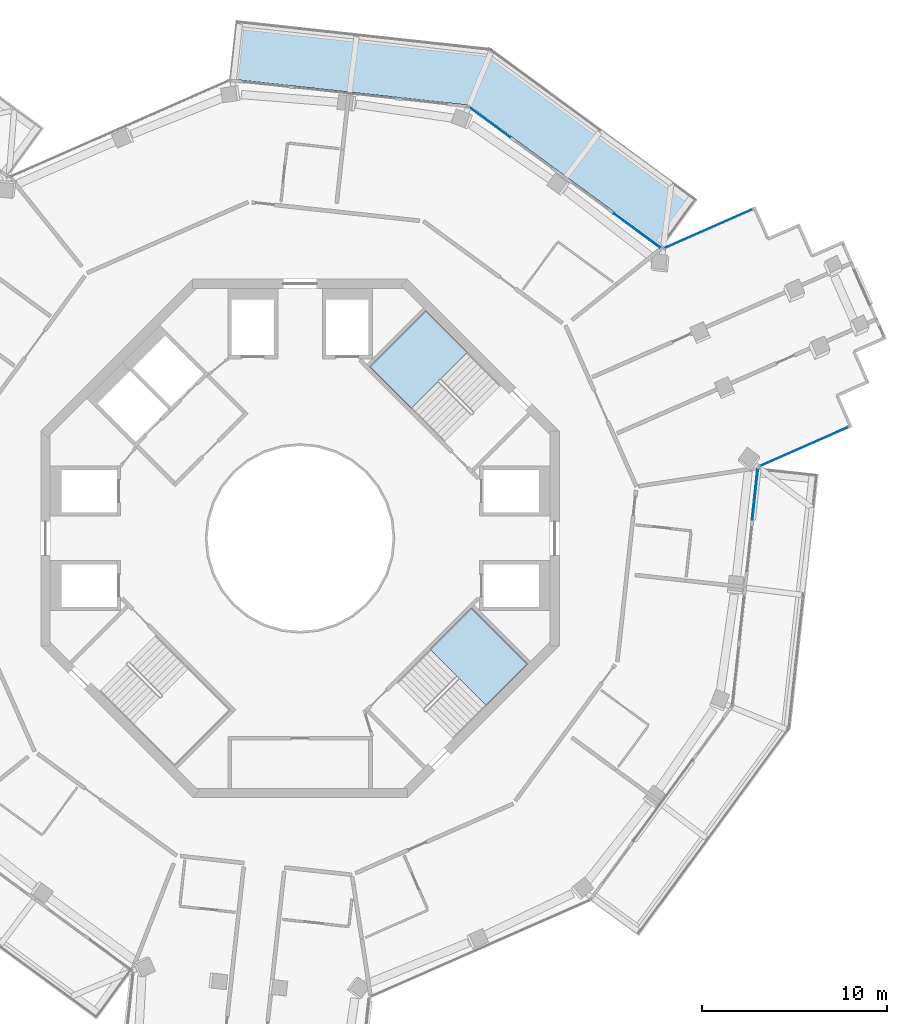
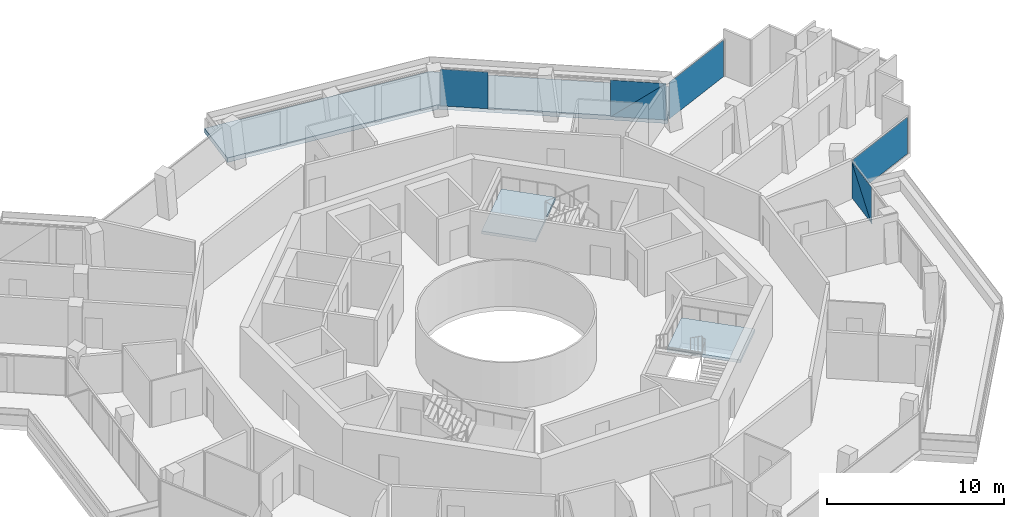
# One storey, part 13 of 22: 7 plates, 3 slabs, 6 elements without a shape of their own.
"""IFC4 building model written with IfcOpenShell, lengths in metres."""

from ifc_helpers import new_model, si_unit, direction, frame, origin, origin_2d, place, context, subcontext, project, spatial, polyline, rectangle, outline, extrude, material, layer, layer_set, type_object, element, aggregate, save


model = new_model("IFC4")

# Units and contexts
model_context = context("Model", 3, precision=1e-05, world=origin(), true_north=direction((0.0, 1.0)))
body_context = subcontext(model_context, "Body", "Model", "MODEL_VIEW")
ifc_project = project(units=[si_unit("LENGTHUNIT", "METRE"), si_unit("AREAUNIT", "SQUARE_METRE"), si_unit("VOLUMEUNIT", "CUBIC_METRE"), si_unit("PLANEANGLEUNIT", "RADIAN"), si_unit("MASSUNIT", "GRAM", prefix="KILO")], contexts=[model_context])

# Site, building, storey
site_placement = place(None, origin())
site = spatial("IfcSite", under=ifc_project, at=site_placement, CompositionType="ELEMENT")
building_placement = place(site_placement, origin())
building = spatial("IfcBuilding", under=site, at=building_placement, Name="Verdalira Terraces Hotel", CompositionType="ELEMENT")
storey_placement = place(building_placement, frame((0.0, 0.0, 252.5)))
storey = spatial("IfcBuildingStorey", under=building, at=storey_placement, Name="L62", CompositionType="ELEMENT", Elevation=252.5)

# Slab
ifc_material_1 = material(Name="Precast concrete C40/50", Category="concrete")
ifc_layer_1 = layer(ifc_material_1, 0.31005859375)
ifc_layer_set_1 = layer_set([ifc_layer_1], Name="Balcony deck 310")
slab_type_1 = type_object("IfcSlabType", Name="Balcony deck 310", PredefinedType="FLOOR", material=ifc_layer_set_1)
slab_1_placement = place(storey_placement, frame((0.0, 0.0, -0.310059)))
element("IfcSlab", 1, at=slab_1_placement, inside=storey, type_object=slab_type_1, Name="Balcony deck", PredefinedType="FLOOR", context=body_context, shape_type="SweptSolid", body=[
    extrude(outline(polyline([(-3.477051, 28.002197), (-3.824707, 24.821045), (9.098145, 23.408203), (19.583252, 15.7229), (21.475098, 18.303955), (10.29834, 26.49585), (-3.477051, 28.002197)])), origin(), (0.0, 0.0, 1.0), 0.310059),
])

# Curtain wall, plates
ifc_material_2 = material(Name="Clear glass", Category="glass")
ifc_layer_2 = layer(ifc_material_2, 0.14990234375)
ifc_layer_set_2 = layer_set([ifc_layer_2], Name="CW1 curtain wall")
curtain_wall_type_1 = type_object("IfcCurtainWallType", Name="CW1 curtain wall", PredefinedType="NOTDEFINED", material=ifc_layer_set_2)
curtain_wall_1_placement = place(storey_placement, origin())
curtain_wall_1 = element("IfcCurtainWall", 2, at=curtain_wall_1_placement, inside=storey, type_object=curtain_wall_type_1, Name="CW1 curtain wall L62 edge 27", PredefinedType="NOTDEFINED")
ifc_material_3 = material(Name="Clear glass", Category="glass")
ifc_layer_3 = layer(ifc_material_3, 0.028076171875)
ifc_layer_set_3 = layer_set([ifc_layer_3], Name="CW1 glass unit 28")
plate_type_1 = type_object("IfcPlateType", Name="CW1 glass unit 28", PredefinedType="CURTAIN_PANEL", material=ifc_layer_set_3)
plate_1_placement = place(storey_placement, frame((24.575195, 2.393555, 1.262451), z_axis=(0.994075324, -0.108693378, 0.0), x_axis=(0.108693378, 0.994075324, 0.0)))
plate_1 = element("IfcPlate", 3, at=plate_1_placement, type_object=plate_type_1, Name="CW1 glass unit", PredefinedType="CURTAIN_PANEL", context=body_context, shape_type="SweptSolid", body=[
    extrude(outline(polyline([(-1.389404, -1.262451), (1.389404, -1.262451), (1.389404, 1.262451), (-1.389404, -1.262451)])), origin(), (0.0, 0.0, 1.0), 0.028076),
])
plate_2_placement = place(storey_placement, frame((24.546387, 2.396729, 1.262451), z_axis=(0.994075324, -0.108693378, 0.0), x_axis=(0.108693378, 0.994075324, 0.0)))
plate_2 = element("IfcPlate", 4, at=plate_2_placement, type_object=plate_type_1, Name="CW1 glass unit", PredefinedType="CURTAIN_PANEL", context=body_context, shape_type="SweptSolid", body=[
    extrude(outline(polyline([(-1.389404, -1.262451), (1.389404, 1.262451), (-1.389404, 1.262451), (-1.389404, -1.262451)])), origin(), (0.0, 0.0, 1.0), 0.028076),
])
aggregate(curtain_wall_1, [plate_1, plate_2])

curtain_wall_2_placement = place(storey_placement, origin())
curtain_wall_2 = element("IfcCurtainWall", 5, at=curtain_wall_2_placement, inside=storey, type_object=curtain_wall_type_1, Name="CW1 curtain wall L62 edge 39", PredefinedType="NOTDEFINED")
plate_3_placement = place(storey_placement, frame((18.216064, 16.614746, 1.262451), z_axis=(0.591168888, 0.806547795, 0.0), x_axis=(-0.806547795, 0.591168888, 0.0)))
plate_3 = element("IfcPlate", 6, at=plate_3_placement, type_object=plate_type_1, Name="CW1 glass unit", PredefinedType="CURTAIN_PANEL", context=body_context, shape_type="SweptSolid", body=[
    extrude(outline(polyline([(-1.569824, -1.262451), (1.569824, -1.262451), (-1.569824, 1.262451), (-1.569824, -1.262451)])), origin(), (0.0, 0.0, 1.0), 0.028076),
])
plate_4_placement = place(storey_placement, frame((18.198975, 16.591309, 1.262451), z_axis=(0.591168888, 0.806547795, 0.0), x_axis=(-0.806547795, 0.591168888, 0.0)))
plate_4 = element("IfcPlate", 7, at=plate_4_placement, type_object=plate_type_1, Name="CW1 glass unit", PredefinedType="CURTAIN_PANEL", context=body_context, shape_type="SweptSolid", body=[
    extrude(outline(polyline([(1.569824, -1.262451), (1.569824, 1.262451), (-1.569824, 1.262451), (1.569824, -1.262451)])), origin(), (0.0, 0.0, 1.0), 0.028076),
])
plate_5_placement = place(storey_placement, frame((10.239014, 22.479004, 0.0), z_axis=(0.0, 0.0, 1.0), x_axis=(-0.806547795, 0.591168888, 0.0)))
plate_5 = element("IfcPlate", 8, at=plate_5_placement, type_object=plate_type_1, Name="CW1 glass unit", PredefinedType="CURTAIN_PANEL", context=body_context, shape_type="SweptSolid", body=[
    extrude(rectangle(XDim=2.738525, YDim=0.028076, at=origin_2d()), origin(), (0.0, 0.0, 1.0), 2.524902),
])
aggregate(curtain_wall_2, [plate_3, plate_4, plate_5])

# Curtain wall, plate
ifc_material_4 = material(Name="Clear glass", Category="glass")
ifc_layer_4 = layer(ifc_material_4, 0.14990234375)
ifc_layer_set_4 = layer_set([ifc_layer_4], Name="CW2 curtain wall")
curtain_wall_type_2 = type_object("IfcCurtainWallType", Name="CW2 curtain wall", PredefinedType="NOTDEFINED", material=ifc_layer_set_4)
curtain_wall_3_placement = place(storey_placement, origin())
curtain_wall_3 = element("IfcCurtainWall", 9, at=curtain_wall_3_placement, inside=storey, type_object=curtain_wall_type_2, Name="CW2 curtain wall L62 edge 28", PredefinedType="NOTDEFINED")
ifc_material_5 = material(Name="Clear glass", Category="glass")
ifc_layer_5 = layer(ifc_material_5, 0.031982421875)
ifc_layer_set_5 = layer_set([ifc_layer_5], Name="CW2 glass unit 32")
plate_type_2 = type_object("IfcPlateType", Name="CW2 glass unit 32", PredefinedType="CURTAIN_PANEL", material=ifc_layer_set_5)
plate_6_placement = place(storey_placement, frame((27.228516, 4.966553, 0.0), z_axis=(0.0, 0.0, 1.0), x_axis=(0.915241173, 0.402906436, 0.0)))
plate_6 = element("IfcPlate", 10, at=plate_6_placement, type_object=plate_type_2, Name="CW2 glass unit", PredefinedType="CURTAIN_PANEL", context=body_context, shape_type="SweptSolid", body=[
    extrude(rectangle(XDim=5.186768, YDim=0.031982, at=origin_2d()), origin(), (0.0, 0.0, 1.0), 2.524902),
])
aggregate(curtain_wall_3, [plate_6])

curtain_wall_4_placement = place(storey_placement, origin())
curtain_wall_4 = element("IfcCurtainWall", 11, at=curtain_wall_4_placement, inside=storey, type_object=curtain_wall_type_2, Name="CW2 curtain wall L62 edge 38", PredefinedType="NOTDEFINED")
plate_7_placement = place(storey_placement, frame((22.05127, 16.727295, 0.0), z_axis=(0.0, 0.0, 1.0), x_axis=(-0.915241173, -0.402906436, 0.0)))
plate_7 = element("IfcPlate", 12, at=plate_7_placement, type_object=plate_type_2, Name="CW2 glass unit", PredefinedType="CURTAIN_PANEL", context=body_context, shape_type="SweptSolid", body=[
    extrude(rectangle(XDim=5.186768, YDim=0.031982, at=origin_2d()), origin(), (0.0, 0.0, 1.0), 2.524902),
])
aggregate(curtain_wall_4, [plate_7])

# Stair, slab
ifc_material_6 = material(Name="Concrete C40", Category="concrete")
stair_type = type_object("IfcStairType", Name="Core stair 20 risers 2100 mm wide", PredefinedType="HALF_TURN_STAIR", material=ifc_material_6)
stair_1_placement = place(storey_placement, origin())
stair_1 = element("IfcStair", 13, at=stair_1_placement, inside=storey, type_object=stair_type, Name="L62 Exit stair ST1", PredefinedType="HALF_TURN_STAIR")
ifc_material_7 = material(Name="Concrete C40", Category="concrete")
ifc_layer_6 = layer(ifc_material_7, 0.199951171875)
ifc_layer_set_6 = layer_set([ifc_layer_6], Name="Core stair landing 200 mm")
slab_type_2 = type_object("IfcSlabType", Name="Core stair landing 200 mm", PredefinedType="LANDING", material=ifc_layer_set_6)
slab_2_placement = place(storey_placement, frame((0.0, 0.0, 1.550049)))
slab_2 = element("IfcSlab", 14, at=slab_2_placement, type_object=slab_type_2, Name="ST1 landing 1", PredefinedType="LANDING", context=body_context, shape_type="SweptSolid", body=[
    extrude(outline(polyline([(9.037109, 10.054688), (6.78833, 12.303711), (3.747559, 9.263184), (5.996582, 7.01416), (9.037109, 10.054688)])), origin(), (0.0, 0.0, 1.0), 0.199951),
])
aggregate(stair_1, [slab_2])

stair_2_placement = place(storey_placement, origin())
stair_2 = element("IfcStair", 15, at=stair_2_placement, inside=storey, type_object=stair_type, Name="L62 Exit stair ST3", PredefinedType="HALF_TURN_STAIR")
slab_3_placement = place(storey_placement, frame((0.0, 0.0, 1.550049)))
slab_3 = element("IfcSlab", 16, at=slab_3_placement, type_object=slab_type_2, Name="ST3 landing 1", PredefinedType="LANDING", context=body_context, shape_type="SweptSolid", body=[
    extrude(outline(polyline([(10.054688, -9.037109), (12.303711, -6.78833), (9.263184, -3.747559), (7.01416, -5.996582), (10.054688, -9.037109)])), origin(), (0.0, 0.0, 1.0), 0.199951),
])
aggregate(stair_2, [slab_3])

save(model, "model.ifc")
